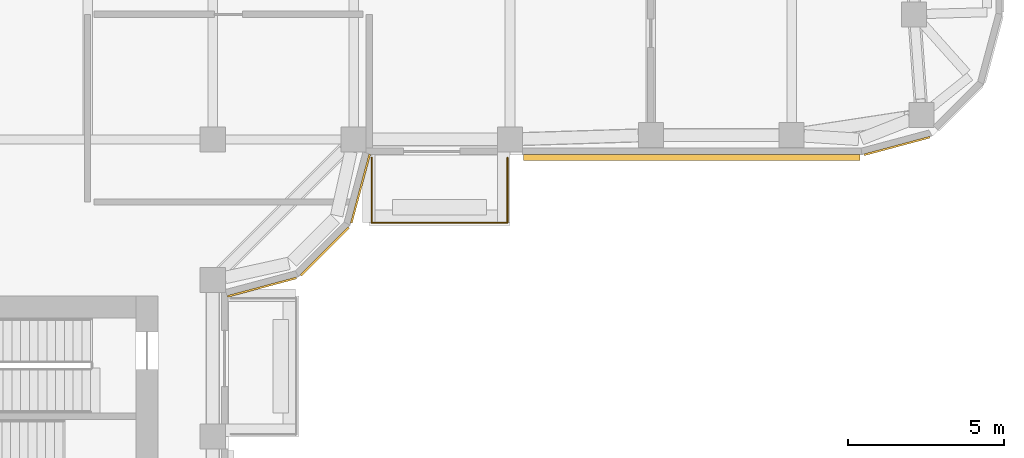
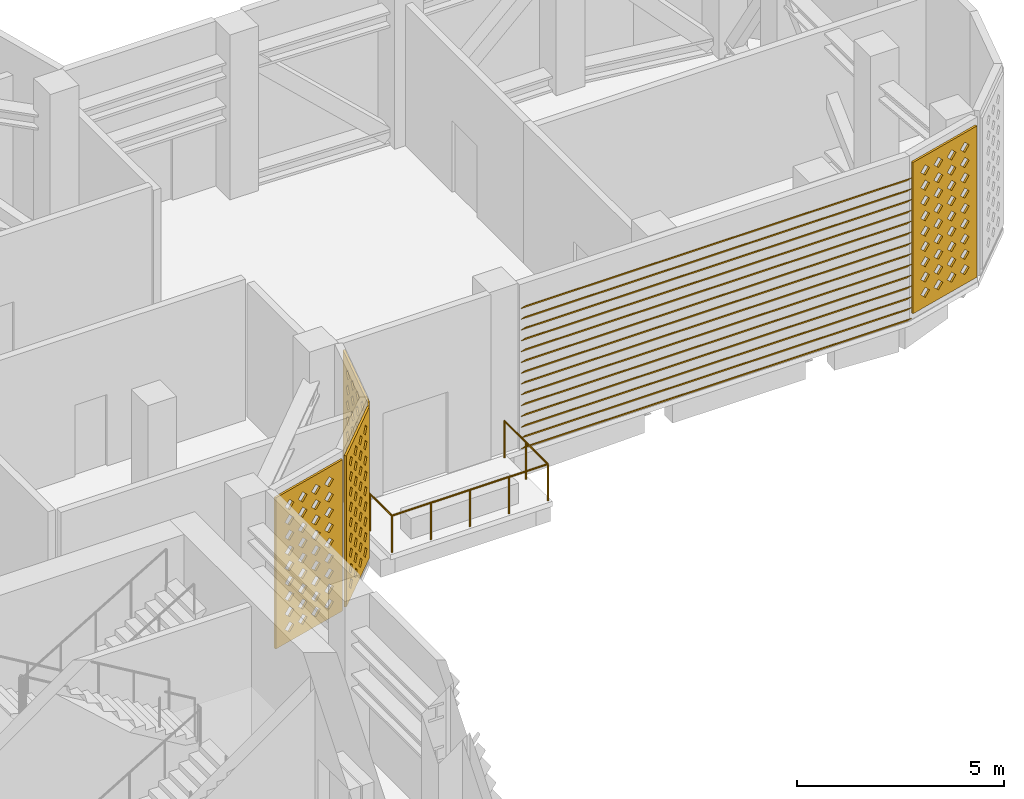
# One storey, part 14 of 21: 4 coverings, 1 railing, 1 shading device.
"""IFC4 building model written with IfcOpenShell, lengths in metres."""

from ifc_helpers import new_model, si_unit, direction, frame, origin, origin_2d, place, context, subcontext, project, spatial, polyline, circle, outline, extrude, source, transform, mapped, material, layer, layer_set, type_object, element, save


model = new_model("IFC4")

# Units and contexts
model_context = context("Model", 3, precision=1e-05, world=origin(), true_north=direction((0.0, 1.0)))
body_context = subcontext(model_context, "Body", "Model", "MODEL_VIEW")
ifc_project = project(units=[si_unit("LENGTHUNIT", "METRE"), si_unit("AREAUNIT", "SQUARE_METRE"), si_unit("VOLUMEUNIT", "CUBIC_METRE"), si_unit("PLANEANGLEUNIT", "RADIAN"), si_unit("MASSUNIT", "GRAM", prefix="KILO")], contexts=[model_context])

# Site, building, storey
site_placement = place(None, origin())
site = spatial("IfcSite", under=ifc_project, at=site_placement, CompositionType="ELEMENT")
building_placement = place(site_placement, origin())
building = spatial("IfcBuilding", under=site, at=building_placement, Name="Zarbagh Exchange Tower", CompositionType="ELEMENT")
storey_placement = place(building_placement, frame((0.0, 0.0, 190.39990234375)))
storey = spatial("IfcBuildingStorey", under=building, at=storey_placement, Name="L46", CompositionType="ELEMENT", Elevation=190.39990234375)

# Railing
ifc_material_1 = material(Name="Stainless steel and laminated glass", Category="steel")
railing_type = type_object("IfcRailingType", Name="Terrace guard, glass balustrade 1.1 m", PredefinedType="GUARDRAIL", material=ifc_material_1)
railing_placement = place(storey_placement, frame((15.669921875, -6.830078125, 0.0)))
element("IfcRailing", 1, at=railing_placement, inside=storey, type_object=railing_type, Name="TG01 terrace guard", PredefinedType="GUARDRAIL", context=body_context, shape_type="SweptSolid", body=[
    extrude(circle(Radius=0.02490234375, at=origin_2d()), frame((0.0, 0.0, 1.0751953125), z_axis=(0.0, -1.0, 0.0), x_axis=(1.0, 0.0, 0.0)), (0.0, 0.0, 1.0), 2.08984375),
    extrude(circle(Radius=0.02490234375, at=origin_2d()), frame((0.0, -2.08984375, 1.0751953125), z_axis=(-1.0, 0.0, 0.0), x_axis=(0.0, -1.0, 0.0)), (0.0, 0.0, 1.0), 4.33984375),
    extrude(circle(Radius=0.02490234375, at=origin_2d()), frame((-4.33984375, -2.08984375, 1.0751953125), z_axis=(0.0, 1.0, 0.0), x_axis=(-1.0, 0.0, 0.0)), (0.0, 0.0, 1.0), 2.08984375),
    extrude(circle(Radius=0.02490234375, at=origin_2d()), origin(), (0.0, 0.0, 1.0), 1.050048828125),
    extrude(circle(Radius=0.02490234375, at=origin_2d()), frame((0.0, -1.044921875, 0.0)), (0.0, 0.0, 1.0), 1.050048828125),
    extrude(circle(Radius=0.02490234375, at=origin_2d()), frame((0.0, -2.08984375, 0.0)), (0.0, 0.0, 1.0), 1.050048828125),
    extrude(circle(Radius=0.02490234375, at=origin_2d()), frame((-1.0849609375, -2.08984375, 0.0)), (0.0, 0.0, 1.0), 1.050048828125),
    extrude(circle(Radius=0.02490234375, at=origin_2d()), frame((-2.169921875, -2.08984375, 0.0)), (0.0, 0.0, 1.0), 1.050048828125),
    extrude(circle(Radius=0.02490234375, at=origin_2d()), frame((-3.2548828125, -2.08984375, 0.0)), (0.0, 0.0, 1.0), 1.050048828125),
    extrude(circle(Radius=0.02490234375, at=origin_2d()), frame((-4.33984375, -2.08984375, 0.0)), (0.0, 0.0, 1.0), 1.050048828125),
    extrude(circle(Radius=0.02490234375, at=origin_2d()), frame((-4.33984375, -1.044921875, 0.0)), (0.0, 0.0, 1.0), 1.050048828125),
    extrude(circle(Radius=0.02490234375, at=origin_2d()), frame((-4.33984375, 0.0, 0.0)), (0.0, 0.0, 1.0), 1.050048828125),
])

# Coverings
ifc_material_2 = material(Name="Glass-fibre reinforced concrete GFRC C50/60", Category="concrete")
ifc_layer = layer(ifc_material_2, 0.06005859375)
ifc_layer_set = layer_set([ifc_layer], Name="SCREEN jali panel, GFRC")
covering_type = type_object("IfcCoveringType", Name="SCREEN jali panel, GFRC", PredefinedType="CLADDING", material=ifc_layer_set)
shared_shape_1 = source(origin(), body_context, "Body", "SweptSolid", [
    extrude(outline(polyline([(0.0, 0.0), (2.1650390625, 0.0), (2.1650390625, 4.449951171875), (0.0, 4.449951171875), (0.0, 0.0)]), holes=[polyline([(0.257568359375, 0.425048828125), (0.407470703125, 0.27490234375), (0.5576171875, 0.425048828125), (0.407470703125, 0.574951171875), (0.257568359375, 0.425048828125)]), polyline([(0.257568359375, 0.875), (0.407470703125, 0.72509765625), (0.5576171875, 0.875), (0.407470703125, 1.02490234375), (0.257568359375, 0.875)]), polyline([(0.257568359375, 1.324951171875), (0.407470703125, 1.175048828125), (0.5576171875, 1.324951171875), (0.407470703125, 1.47509765625), (0.257568359375, 1.324951171875)]), polyline([(0.257568359375, 1.77490234375), (0.407470703125, 1.625), (0.5576171875, 1.77490234375), (0.407470703125, 1.925048828125), (0.257568359375, 1.77490234375)]), polyline([(0.257568359375, 2.22509765625), (0.407470703125, 2.074951171875), (0.5576171875, 2.22509765625), (0.407470703125, 2.375), (0.257568359375, 2.22509765625)]), polyline([(0.257568359375, 2.675048828125), (0.407470703125, 2.52490234375), (0.5576171875, 2.675048828125), (0.407470703125, 2.824951171875), (0.257568359375, 2.675048828125)]), polyline([(0.257568359375, 3.125), (0.407470703125, 2.97509765625), (0.5576171875, 3.125), (0.407470703125, 3.27490234375), (0.257568359375, 3.125)]), polyline([(0.257568359375, 3.574951171875), (0.407470703125, 3.425048828125), (0.5576171875, 3.574951171875), (0.407470703125, 3.72509765625), (0.257568359375, 3.574951171875)]), polyline([(0.257568359375, 4.02490234375), (0.407470703125, 3.875), (0.5576171875, 4.02490234375), (0.407470703125, 4.175048828125), (0.257568359375, 4.02490234375)]), polyline([(0.70751953125, 0.425048828125), (0.857421875, 0.27490234375), (1.007568359375, 0.425048828125), (0.857421875, 0.574951171875), (0.70751953125, 0.425048828125)]), polyline([(0.70751953125, 0.875), (0.857421875, 0.72509765625), (1.007568359375, 0.875), (0.857421875, 1.02490234375), (0.70751953125, 0.875)]), polyline([(0.70751953125, 1.324951171875), (0.857421875, 1.175048828125), (1.007568359375, 1.324951171875), (0.857421875, 1.47509765625), (0.70751953125, 1.324951171875)]), polyline([(0.70751953125, 1.77490234375), (0.857421875, 1.625), (1.007568359375, 1.77490234375), (0.857421875, 1.925048828125), (0.70751953125, 1.77490234375)]), polyline([(0.70751953125, 2.22509765625), (0.857421875, 2.074951171875), (1.007568359375, 2.22509765625), (0.857421875, 2.375), (0.70751953125, 2.22509765625)]), polyline([(0.70751953125, 2.675048828125), (0.857421875, 2.52490234375), (1.007568359375, 2.675048828125), (0.857421875, 2.824951171875), (0.70751953125, 2.675048828125)]), polyline([(0.70751953125, 3.125), (0.857421875, 2.97509765625), (1.007568359375, 3.125), (0.857421875, 3.27490234375), (0.70751953125, 3.125)]), polyline([(0.70751953125, 3.574951171875), (0.857421875, 3.425048828125), (1.007568359375, 3.574951171875), (0.857421875, 3.72509765625), (0.70751953125, 3.574951171875)]), polyline([(0.70751953125, 4.02490234375), (0.857421875, 3.875), (1.007568359375, 4.02490234375), (0.857421875, 4.175048828125), (0.70751953125, 4.02490234375)]), polyline([(1.157470703125, 0.425048828125), (1.3076171875, 0.27490234375), (1.45751953125, 0.425048828125), (1.3076171875, 0.574951171875), (1.157470703125, 0.425048828125)]), polyline([(1.157470703125, 0.875), (1.3076171875, 0.72509765625), (1.45751953125, 0.875), (1.3076171875, 1.02490234375), (1.157470703125, 0.875)]), polyline([(1.157470703125, 1.324951171875), (1.3076171875, 1.175048828125), (1.45751953125, 1.324951171875), (1.3076171875, 1.47509765625), (1.157470703125, 1.324951171875)]), polyline([(1.157470703125, 1.77490234375), (1.3076171875, 1.625), (1.45751953125, 1.77490234375), (1.3076171875, 1.925048828125), (1.157470703125, 1.77490234375)]), polyline([(1.157470703125, 2.22509765625), (1.3076171875, 2.074951171875), (1.45751953125, 2.22509765625), (1.3076171875, 2.375), (1.157470703125, 2.22509765625)]), polyline([(1.157470703125, 2.675048828125), (1.3076171875, 2.52490234375), (1.45751953125, 2.675048828125), (1.3076171875, 2.824951171875), (1.157470703125, 2.675048828125)]), polyline([(1.157470703125, 3.125), (1.3076171875, 2.97509765625), (1.45751953125, 3.125), (1.3076171875, 3.27490234375), (1.157470703125, 3.125)]), polyline([(1.157470703125, 3.574951171875), (1.3076171875, 3.425048828125), (1.45751953125, 3.574951171875), (1.3076171875, 3.72509765625), (1.157470703125, 3.574951171875)]), polyline([(1.157470703125, 4.02490234375), (1.3076171875, 3.875), (1.45751953125, 4.02490234375), (1.3076171875, 4.175048828125), (1.157470703125, 4.02490234375)]), polyline([(1.607421875, 0.425048828125), (1.757568359375, 0.27490234375), (1.907470703125, 0.425048828125), (1.757568359375, 0.574951171875), (1.607421875, 0.425048828125)]), polyline([(1.607421875, 0.875), (1.757568359375, 0.72509765625), (1.907470703125, 0.875), (1.757568359375, 1.02490234375), (1.607421875, 0.875)]), polyline([(1.607421875, 1.324951171875), (1.757568359375, 1.175048828125), (1.907470703125, 1.324951171875), (1.757568359375, 1.47509765625), (1.607421875, 1.324951171875)]), polyline([(1.607421875, 1.77490234375), (1.757568359375, 1.625), (1.907470703125, 1.77490234375), (1.757568359375, 1.925048828125), (1.607421875, 1.77490234375)]), polyline([(1.607421875, 2.22509765625), (1.757568359375, 2.074951171875), (1.907470703125, 2.22509765625), (1.757568359375, 2.375), (1.607421875, 2.22509765625)]), polyline([(1.607421875, 2.675048828125), (1.757568359375, 2.52490234375), (1.907470703125, 2.675048828125), (1.757568359375, 2.824951171875), (1.607421875, 2.675048828125)]), polyline([(1.607421875, 3.125), (1.757568359375, 2.97509765625), (1.907470703125, 3.125), (1.757568359375, 3.27490234375), (1.607421875, 3.125)]), polyline([(1.607421875, 3.574951171875), (1.757568359375, 3.425048828125), (1.907470703125, 3.574951171875), (1.757568359375, 3.72509765625), (1.607421875, 3.574951171875)]), polyline([(1.607421875, 4.02490234375), (1.757568359375, 3.875), (1.907470703125, 4.02490234375), (1.757568359375, 4.175048828125), (1.607421875, 4.02490234375)])]), origin(), (0.0, 0.0, 1.0), 0.06005859375),
])
placement = place(storey_placement, origin())
element("IfcCovering", 2, at=placement, inside=storey, type_object=covering_type, Name="JS05 jali screen", PredefinedType="CLADDING", context=body_context, shape_type="MappedRepresentation", body=[
    mapped(shared_shape_1, transform((9.0439453125, -10.574951171875, 0.2001953125), x_axis=(0.707106781187, 0.707106781187, 0.0), y_axis=(0.0, 0.0, 1.0), z_axis=(0.707106781187, -0.707106781187, 0.0))),
])
shared_shape_2 = source(origin(), body_context, "Body", "SweptSolid", [
    extrude(outline(polyline([(0.0, 0.0), (2.181396484375, 0.0), (2.181396484375, 4.449951171875), (0.0, 4.449951171875), (0.0, 0.0)]), holes=[polyline([(0.265625, 0.425048828125), (0.415771484375, 0.27490234375), (0.565673828125, 0.425048828125), (0.415771484375, 0.574951171875), (0.265625, 0.425048828125)]), polyline([(0.265625, 0.875), (0.415771484375, 0.72509765625), (0.565673828125, 0.875), (0.415771484375, 1.02490234375), (0.265625, 0.875)]), polyline([(0.265625, 1.324951171875), (0.415771484375, 1.175048828125), (0.565673828125, 1.324951171875), (0.415771484375, 1.47509765625), (0.265625, 1.324951171875)]), polyline([(0.265625, 1.77490234375), (0.415771484375, 1.625), (0.565673828125, 1.77490234375), (0.415771484375, 1.925048828125), (0.265625, 1.77490234375)]), polyline([(0.265625, 2.22509765625), (0.415771484375, 2.074951171875), (0.565673828125, 2.22509765625), (0.415771484375, 2.375), (0.265625, 2.22509765625)]), polyline([(0.265625, 2.675048828125), (0.415771484375, 2.52490234375), (0.565673828125, 2.675048828125), (0.415771484375, 2.824951171875), (0.265625, 2.675048828125)]), polyline([(0.265625, 3.125), (0.415771484375, 2.97509765625), (0.565673828125, 3.125), (0.415771484375, 3.27490234375), (0.265625, 3.125)]), polyline([(0.265625, 3.574951171875), (0.415771484375, 3.425048828125), (0.565673828125, 3.574951171875), (0.415771484375, 3.72509765625), (0.265625, 3.574951171875)]), polyline([(0.265625, 4.02490234375), (0.415771484375, 3.875), (0.565673828125, 4.02490234375), (0.415771484375, 4.175048828125), (0.265625, 4.02490234375)]), polyline([(0.7158203125, 0.425048828125), (0.86572265625, 0.27490234375), (1.015625, 0.425048828125), (0.86572265625, 0.574951171875), (0.7158203125, 0.425048828125)]), polyline([(0.7158203125, 0.875), (0.86572265625, 0.72509765625), (1.015625, 0.875), (0.86572265625, 1.02490234375), (0.7158203125, 0.875)]), polyline([(0.7158203125, 1.324951171875), (0.86572265625, 1.175048828125), (1.015625, 1.324951171875), (0.86572265625, 1.47509765625), (0.7158203125, 1.324951171875)]), polyline([(0.7158203125, 1.77490234375), (0.86572265625, 1.625), (1.015625, 1.77490234375), (0.86572265625, 1.925048828125), (0.7158203125, 1.77490234375)]), polyline([(0.7158203125, 2.22509765625), (0.86572265625, 2.074951171875), (1.015625, 2.22509765625), (0.86572265625, 2.375), (0.7158203125, 2.22509765625)]), polyline([(0.7158203125, 2.675048828125), (0.86572265625, 2.52490234375), (1.015625, 2.675048828125), (0.86572265625, 2.824951171875), (0.7158203125, 2.675048828125)]), polyline([(0.7158203125, 3.125), (0.86572265625, 2.97509765625), (1.015625, 3.125), (0.86572265625, 3.27490234375), (0.7158203125, 3.125)]), polyline([(0.7158203125, 3.574951171875), (0.86572265625, 3.425048828125), (1.015625, 3.574951171875), (0.86572265625, 3.72509765625), (0.7158203125, 3.574951171875)]), polyline([(0.7158203125, 4.02490234375), (0.86572265625, 3.875), (1.015625, 4.02490234375), (0.86572265625, 4.175048828125), (0.7158203125, 4.02490234375)]), polyline([(1.165771484375, 0.425048828125), (1.315673828125, 0.27490234375), (1.4658203125, 0.425048828125), (1.315673828125, 0.574951171875), (1.165771484375, 0.425048828125)]), polyline([(1.165771484375, 0.875), (1.315673828125, 0.72509765625), (1.4658203125, 0.875), (1.315673828125, 1.02490234375), (1.165771484375, 0.875)]), polyline([(1.165771484375, 1.324951171875), (1.315673828125, 1.175048828125), (1.4658203125, 1.324951171875), (1.315673828125, 1.47509765625), (1.165771484375, 1.324951171875)]), polyline([(1.165771484375, 1.77490234375), (1.315673828125, 1.625), (1.4658203125, 1.77490234375), (1.315673828125, 1.925048828125), (1.165771484375, 1.77490234375)]), polyline([(1.165771484375, 2.22509765625), (1.315673828125, 2.074951171875), (1.4658203125, 2.22509765625), (1.315673828125, 2.375), (1.165771484375, 2.22509765625)]), polyline([(1.165771484375, 2.675048828125), (1.315673828125, 2.52490234375), (1.4658203125, 2.675048828125), (1.315673828125, 2.824951171875), (1.165771484375, 2.675048828125)]), polyline([(1.165771484375, 3.125), (1.315673828125, 2.97509765625), (1.4658203125, 3.125), (1.315673828125, 3.27490234375), (1.165771484375, 3.125)]), polyline([(1.165771484375, 3.574951171875), (1.315673828125, 3.425048828125), (1.4658203125, 3.574951171875), (1.315673828125, 3.72509765625), (1.165771484375, 3.574951171875)]), polyline([(1.165771484375, 4.02490234375), (1.315673828125, 3.875), (1.4658203125, 4.02490234375), (1.315673828125, 4.175048828125), (1.165771484375, 4.02490234375)]), polyline([(1.61572265625, 0.425048828125), (1.765625, 0.27490234375), (1.915771484375, 0.425048828125), (1.765625, 0.574951171875), (1.61572265625, 0.425048828125)]), polyline([(1.61572265625, 0.875), (1.765625, 0.72509765625), (1.915771484375, 0.875), (1.765625, 1.02490234375), (1.61572265625, 0.875)]), polyline([(1.61572265625, 1.324951171875), (1.765625, 1.175048828125), (1.915771484375, 1.324951171875), (1.765625, 1.47509765625), (1.61572265625, 1.324951171875)]), polyline([(1.61572265625, 1.77490234375), (1.765625, 1.625), (1.915771484375, 1.77490234375), (1.765625, 1.925048828125), (1.61572265625, 1.77490234375)]), polyline([(1.61572265625, 2.22509765625), (1.765625, 2.074951171875), (1.915771484375, 2.22509765625), (1.765625, 2.375), (1.61572265625, 2.22509765625)]), polyline([(1.61572265625, 2.675048828125), (1.765625, 2.52490234375), (1.915771484375, 2.675048828125), (1.765625, 2.824951171875), (1.61572265625, 2.675048828125)]), polyline([(1.61572265625, 3.125), (1.765625, 2.97509765625), (1.915771484375, 3.125), (1.765625, 3.27490234375), (1.61572265625, 3.125)]), polyline([(1.61572265625, 3.574951171875), (1.765625, 3.425048828125), (1.915771484375, 3.574951171875), (1.765625, 3.72509765625), (1.61572265625, 3.574951171875)]), polyline([(1.61572265625, 4.02490234375), (1.765625, 3.875), (1.915771484375, 4.02490234375), (1.765625, 4.175048828125), (1.61572265625, 4.02490234375)])]), origin(), (0.0, 0.0, 1.0), 0.06005859375),
])
element("IfcCovering", 3, at=placement, inside=storey, type_object=covering_type, Name="JS41 jali screen", PredefinedType="CLADDING", context=body_context, shape_type="MappedRepresentation", body=[
    mapped(shared_shape_2, transform((27.058349609375, -6.713623046875, 0.2001953125), x_axis=(0.965924215207, 0.258825057666, 0.0), y_axis=(0.0, 0.0, 1.0), z_axis=(0.258825057666, -0.965924215207, 0.0))),
])
shared_shape_3 = source(origin(), body_context, "Body", "SweptSolid", [
    extrude(outline(polyline([(0.0, 0.0), (2.277099609375, 0.0), (2.277099609375, 4.449951171875), (0.0, 4.449951171875), (0.0, 0.0)]), holes=[polyline([(0.313720703125, 0.425048828125), (0.463623046875, 0.27490234375), (0.613525390625, 0.425048828125), (0.463623046875, 0.574951171875), (0.313720703125, 0.425048828125)]), polyline([(0.313720703125, 0.875), (0.463623046875, 0.72509765625), (0.613525390625, 0.875), (0.463623046875, 1.02490234375), (0.313720703125, 0.875)]), polyline([(0.313720703125, 1.324951171875), (0.463623046875, 1.175048828125), (0.613525390625, 1.324951171875), (0.463623046875, 1.47509765625), (0.313720703125, 1.324951171875)]), polyline([(0.313720703125, 1.77490234375), (0.463623046875, 1.625), (0.613525390625, 1.77490234375), (0.463623046875, 1.925048828125), (0.313720703125, 1.77490234375)]), polyline([(0.313720703125, 2.22509765625), (0.463623046875, 2.074951171875), (0.613525390625, 2.22509765625), (0.463623046875, 2.375), (0.313720703125, 2.22509765625)]), polyline([(0.313720703125, 2.675048828125), (0.463623046875, 2.52490234375), (0.613525390625, 2.675048828125), (0.463623046875, 2.824951171875), (0.313720703125, 2.675048828125)]), polyline([(0.313720703125, 3.125), (0.463623046875, 2.97509765625), (0.613525390625, 3.125), (0.463623046875, 3.27490234375), (0.313720703125, 3.125)]), polyline([(0.313720703125, 3.574951171875), (0.463623046875, 3.425048828125), (0.613525390625, 3.574951171875), (0.463623046875, 3.72509765625), (0.313720703125, 3.574951171875)]), polyline([(0.313720703125, 4.02490234375), (0.463623046875, 3.875), (0.613525390625, 4.02490234375), (0.463623046875, 4.175048828125), (0.313720703125, 4.02490234375)]), polyline([(0.763671875, 0.425048828125), (0.91357421875, 0.27490234375), (1.063720703125, 0.425048828125), (0.91357421875, 0.574951171875), (0.763671875, 0.425048828125)]), polyline([(0.763671875, 0.875), (0.91357421875, 0.72509765625), (1.063720703125, 0.875), (0.91357421875, 1.02490234375), (0.763671875, 0.875)]), polyline([(0.763671875, 1.324951171875), (0.91357421875, 1.175048828125), (1.063720703125, 1.324951171875), (0.91357421875, 1.47509765625), (0.763671875, 1.324951171875)]), polyline([(0.763671875, 1.77490234375), (0.91357421875, 1.625), (1.063720703125, 1.77490234375), (0.91357421875, 1.925048828125), (0.763671875, 1.77490234375)]), polyline([(0.763671875, 2.22509765625), (0.91357421875, 2.074951171875), (1.063720703125, 2.22509765625), (0.91357421875, 2.375), (0.763671875, 2.22509765625)]), polyline([(0.763671875, 2.675048828125), (0.91357421875, 2.52490234375), (1.063720703125, 2.675048828125), (0.91357421875, 2.824951171875), (0.763671875, 2.675048828125)]), polyline([(0.763671875, 3.125), (0.91357421875, 2.97509765625), (1.063720703125, 3.125), (0.91357421875, 3.27490234375), (0.763671875, 3.125)]), polyline([(0.763671875, 3.574951171875), (0.91357421875, 3.425048828125), (1.063720703125, 3.574951171875), (0.91357421875, 3.72509765625), (0.763671875, 3.574951171875)]), polyline([(0.763671875, 4.02490234375), (0.91357421875, 3.875), (1.063720703125, 4.02490234375), (0.91357421875, 4.175048828125), (0.763671875, 4.02490234375)]), polyline([(1.213623046875, 0.425048828125), (1.363525390625, 0.27490234375), (1.513671875, 0.425048828125), (1.363525390625, 0.574951171875), (1.213623046875, 0.425048828125)]), polyline([(1.213623046875, 0.875), (1.363525390625, 0.72509765625), (1.513671875, 0.875), (1.363525390625, 1.02490234375), (1.213623046875, 0.875)]), polyline([(1.213623046875, 1.324951171875), (1.363525390625, 1.175048828125), (1.513671875, 1.324951171875), (1.363525390625, 1.47509765625), (1.213623046875, 1.324951171875)]), polyline([(1.213623046875, 1.77490234375), (1.363525390625, 1.625), (1.513671875, 1.77490234375), (1.363525390625, 1.925048828125), (1.213623046875, 1.77490234375)]), polyline([(1.213623046875, 2.22509765625), (1.363525390625, 2.074951171875), (1.513671875, 2.22509765625), (1.363525390625, 2.375), (1.213623046875, 2.22509765625)]), polyline([(1.213623046875, 2.675048828125), (1.363525390625, 2.52490234375), (1.513671875, 2.675048828125), (1.363525390625, 2.824951171875), (1.213623046875, 2.675048828125)]), polyline([(1.213623046875, 3.125), (1.363525390625, 2.97509765625), (1.513671875, 3.125), (1.363525390625, 3.27490234375), (1.213623046875, 3.125)]), polyline([(1.213623046875, 3.574951171875), (1.363525390625, 3.425048828125), (1.513671875, 3.574951171875), (1.363525390625, 3.72509765625), (1.213623046875, 3.574951171875)]), polyline([(1.213623046875, 4.02490234375), (1.363525390625, 3.875), (1.513671875, 4.02490234375), (1.363525390625, 4.175048828125), (1.213623046875, 4.02490234375)]), polyline([(1.66357421875, 0.425048828125), (1.813720703125, 0.27490234375), (1.963623046875, 0.425048828125), (1.813720703125, 0.574951171875), (1.66357421875, 0.425048828125)]), polyline([(1.66357421875, 0.875), (1.813720703125, 0.72509765625), (1.963623046875, 0.875), (1.813720703125, 1.02490234375), (1.66357421875, 0.875)]), polyline([(1.66357421875, 1.324951171875), (1.813720703125, 1.175048828125), (1.963623046875, 1.324951171875), (1.813720703125, 1.47509765625), (1.66357421875, 1.324951171875)]), polyline([(1.66357421875, 1.77490234375), (1.813720703125, 1.625), (1.963623046875, 1.77490234375), (1.813720703125, 1.925048828125), (1.66357421875, 1.77490234375)]), polyline([(1.66357421875, 2.22509765625), (1.813720703125, 2.074951171875), (1.963623046875, 2.22509765625), (1.813720703125, 2.375), (1.66357421875, 2.22509765625)]), polyline([(1.66357421875, 2.675048828125), (1.813720703125, 2.52490234375), (1.963623046875, 2.675048828125), (1.813720703125, 2.824951171875), (1.66357421875, 2.675048828125)]), polyline([(1.66357421875, 3.125), (1.813720703125, 2.97509765625), (1.963623046875, 3.125), (1.813720703125, 3.27490234375), (1.66357421875, 3.125)]), polyline([(1.66357421875, 3.574951171875), (1.813720703125, 3.425048828125), (1.963623046875, 3.574951171875), (1.813720703125, 3.72509765625), (1.66357421875, 3.574951171875)]), polyline([(1.66357421875, 4.02490234375), (1.813720703125, 3.875), (1.963623046875, 4.02490234375), (1.813720703125, 4.175048828125), (1.66357421875, 4.02490234375)])]), origin(), (0.0, 0.0, 1.0), 0.06005859375),
])
element("IfcCovering", 4, at=placement, inside=storey, type_object=covering_type, Name="JS04 jali screen", PredefinedType="CLADDING", context=body_context, shape_type="MappedRepresentation", body=[
    mapped(shared_shape_3, transform((6.7158203125, -11.238525390625, 0.2001953125), x_axis=(0.965924215207, 0.258825057666, 0.0), y_axis=(0.0, 0.0, 1.0), z_axis=(0.258825057666, -0.965924215207, 0.0))),
])
element("IfcCovering", 5, at=placement, inside=storey, type_object=covering_type, Name="JS06 jali screen", PredefinedType="CLADDING", context=body_context, shape_type="MappedRepresentation", body=[
    mapped(shared_shape_3, transform((10.64892578125, -8.91552734375, 0.2001953125), x_axis=(0.258825057666, 0.965924215207, 0.0), y_axis=(0.0, 0.0, 1.0), z_axis=(0.965924215207, -0.258825057666, 0.0))),
])

# Shading device
ifc_material_3 = material(Name="Anodised aluminium", Category="aluminium")
shading_device_type = type_object("IfcShadingDeviceType", Name="LOUVRE plant louvre, fixed blades", PredefinedType="USERDEFINED", material=ifc_material_3)
shared_shape_4 = source(origin(), body_context, "Body", "SweptSolid", [
    extrude(outline(polyline([(0.0, 0.199951171875), (0.199951171875, 0.0), (0.199951171875, -0.02001953125), (0.0, 0.179931640625), (0.0, 0.199951171875)])), origin(), (0.0, 0.0, 1.0), 10.744140625),
])
element("IfcShadingDevice", 6, at=placement, inside=storey, type_object=shading_device_type, Name="LV09 plant louvre", ObjectType="LOUVRE", PredefinedType="USERDEFINED", context=body_context, shape_type="MappedRepresentation", body=[
    mapped(shared_shape_4, transform((16.18994140625, -6.72998046875, 0.2001953125), x_axis=(0.0, -1.0, 0.0), y_axis=(0.0, 0.0, -1.0), z_axis=(1.0, 0.0, 0.0))),
    mapped(shared_shape_4, transform((16.18994140625, -6.72998046875, 0.51806640625), x_axis=(0.0, -1.0, 0.0), y_axis=(0.0, 0.0, -1.0), z_axis=(1.0, 0.0, 0.0))),
    mapped(shared_shape_4, transform((16.18994140625, -6.72998046875, 0.835693359375), x_axis=(0.0, -1.0, 0.0), y_axis=(0.0, 0.0, -1.0), z_axis=(1.0, 0.0, 0.0))),
    mapped(shared_shape_4, transform((16.18994140625, -6.72998046875, 1.153564453125), x_axis=(0.0, -1.0, 0.0), y_axis=(0.0, 0.0, -1.0), z_axis=(1.0, 0.0, 0.0))),
    mapped(shared_shape_4, transform((16.18994140625, -6.72998046875, 1.471435546875), x_axis=(0.0, -1.0, 0.0), y_axis=(0.0, 0.0, -1.0), z_axis=(1.0, 0.0, 0.0))),
    mapped(shared_shape_4, transform((16.18994140625, -6.72998046875, 1.789306640625), x_axis=(0.0, -1.0, 0.0), y_axis=(0.0, 0.0, -1.0), z_axis=(1.0, 0.0, 0.0))),
    mapped(shared_shape_4, transform((16.18994140625, -6.72998046875, 2.107177734375), x_axis=(0.0, -1.0, 0.0), y_axis=(0.0, 0.0, -1.0), z_axis=(1.0, 0.0, 0.0))),
    mapped(shared_shape_4, transform((16.18994140625, -6.72998046875, 2.425048828125), x_axis=(0.0, -1.0, 0.0), y_axis=(0.0, 0.0, -1.0), z_axis=(1.0, 0.0, 0.0))),
    mapped(shared_shape_4, transform((16.18994140625, -6.72998046875, 2.742919921875), x_axis=(0.0, -1.0, 0.0), y_axis=(0.0, 0.0, -1.0), z_axis=(1.0, 0.0, 0.0))),
    mapped(shared_shape_4, transform((16.18994140625, -6.72998046875, 3.060791015625), x_axis=(0.0, -1.0, 0.0), y_axis=(0.0, 0.0, -1.0), z_axis=(1.0, 0.0, 0.0))),
    mapped(shared_shape_4, transform((16.18994140625, -6.72998046875, 3.378662109375), x_axis=(0.0, -1.0, 0.0), y_axis=(0.0, 0.0, -1.0), z_axis=(1.0, 0.0, 0.0))),
    mapped(shared_shape_4, transform((16.18994140625, -6.72998046875, 3.696533203125), x_axis=(0.0, -1.0, 0.0), y_axis=(0.0, 0.0, -1.0), z_axis=(1.0, 0.0, 0.0))),
    mapped(shared_shape_4, transform((16.18994140625, -6.72998046875, 4.014404296875), x_axis=(0.0, -1.0, 0.0), y_axis=(0.0, 0.0, -1.0), z_axis=(1.0, 0.0, 0.0))),
    mapped(shared_shape_4, transform((16.18994140625, -6.72998046875, 4.332275390625), x_axis=(0.0, -1.0, 0.0), y_axis=(0.0, 0.0, -1.0), z_axis=(1.0, 0.0, 0.0))),
])

save(model, "model.ifc")
